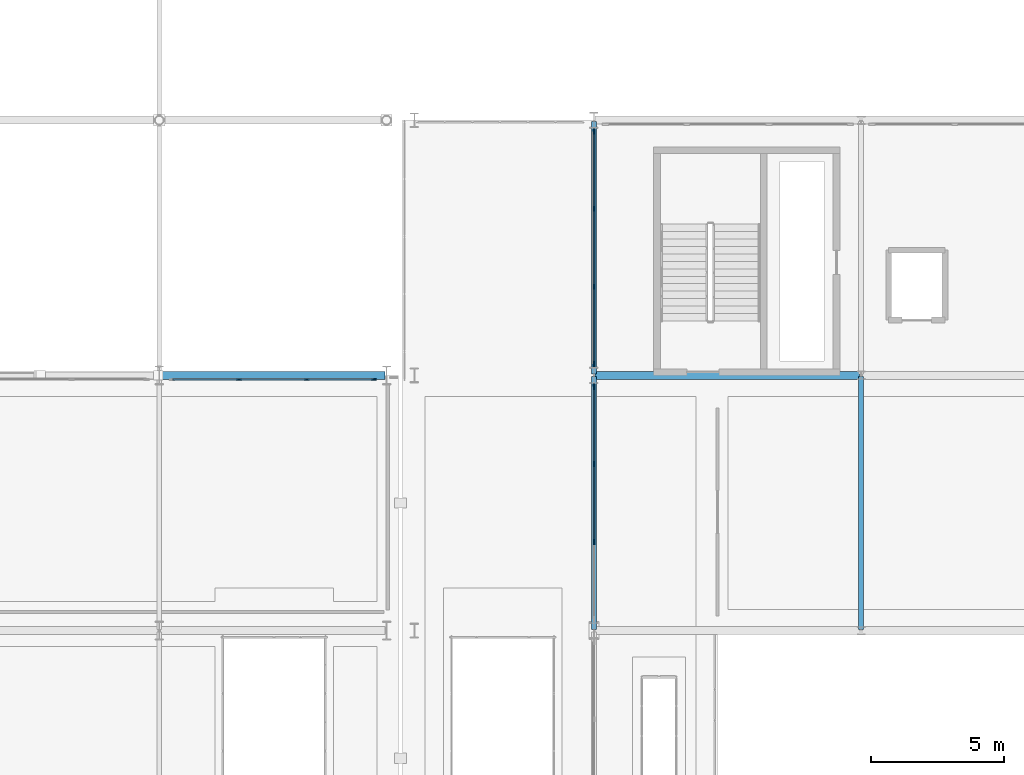
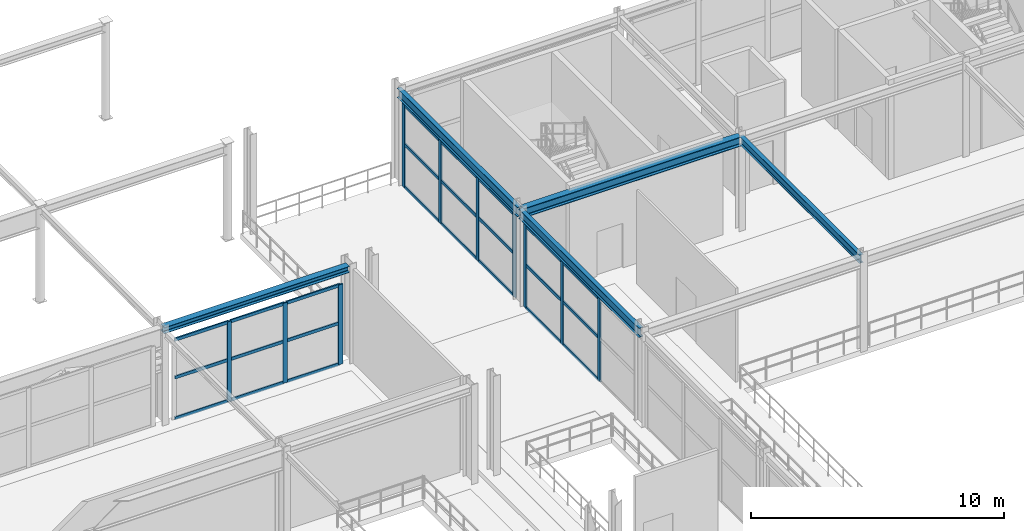
# One storey, part 48 of 125: 34 members, 5 beams, 3 elements without a shape of their own.
"""IFC4 building model written with IfcOpenShell, lengths in metres."""

from ifc_helpers import new_model, si_unit, direction, frame, origin, origin_2d, place, context, subcontext, project, spatial, rectangle, i_section, extrude, material, layer, layer_set, material_profile, profile_set, type_object, element, aggregate, save


model = new_model("IFC4")

# Units and contexts
model_context = context("Model", 3, precision=1e-05, world=origin(), true_north=direction((0.0, 1.0)))
body_context = subcontext(model_context, "Body", "Model", "MODEL_VIEW")
ifc_project = project(units=[si_unit("LENGTHUNIT", "METRE"), si_unit("AREAUNIT", "SQUARE_METRE"), si_unit("VOLUMEUNIT", "CUBIC_METRE"), si_unit("PLANEANGLEUNIT", "RADIAN"), si_unit("MASSUNIT", "GRAM", prefix="KILO")], contexts=[model_context])

# Site, building, storey
site_placement = place(None, origin())
site = spatial("IfcSite", under=ifc_project, at=site_placement, CompositionType="ELEMENT")
building_placement = place(site_placement, origin())
building = spatial("IfcBuilding", under=site, at=building_placement, Name="Myrtia Square Station", CompositionType="ELEMENT")
storey_placement = place(building_placement, frame((0.0, 0.0, 6.0)))
storey = spatial("IfcBuildingStorey", under=building, at=storey_placement, Name="L01", CompositionType="ELEMENT", Elevation=6.0)

# Beams
ifc_material_1 = material(Name="Steel S355", Category="steel")
ifc_material_profile_1 = material_profile(ifc_material_1, i_section(OverallWidth=0.300048828125, OverallDepth=0.300048828125, WebThickness=0.010986328125, FlangeThickness=0.01904296875, FilletRadius=0.027099609375, at=origin_2d()), Name="HEB 300")
ifc_profile_set_1 = profile_set([ifc_material_profile_1], Name="Steel S355")
beam_type_1 = type_object("IfcBeamType", Name="BM-HEB300", PredefinedType="BEAM", material=ifc_profile_set_1)
beam_1_placement = place(storey_placement, frame((63.050048828125, 86.39990234375, 4.405029296875), z_axis=(1.0, 0.0, 0.0), x_axis=(0.0, 1.0, 0.0)))
element("IfcBeam", 1, at=beam_1_placement, inside=storey, type_object=beam_type_1, Name="Structural girder BMX-L01-0477", PredefinedType="BEAM", context=body_context, shape_type="SweptSolid", body=[
    extrude(i_section(OverallWidth=0.300048828125, OverallDepth=0.300048828125, WebThickness=0.010986328125, FlangeThickness=0.01904296875, FilletRadius=0.027099609375, at=origin_2d()), origin(), (0.0, 0.0, 1.0), 8.449951171875),
])
ifc_material_profile_2 = material_profile(ifc_material_1, i_section(OverallWidth=0.300048828125, OverallDepth=0.449951171875, WebThickness=0.013916015625, FlangeThickness=0.02587890625, FilletRadius=0.027099609375, at=origin_2d()), Name="HEB 450")
ifc_profile_set_2 = profile_set([ifc_material_profile_2], Name="Steel S355")
beam_type_2 = type_object("IfcBeamType", Name="BM-HEB450", PredefinedType="BEAM", material=ifc_profile_set_2)
beam_2_placement = place(storey_placement, frame((79.39990234375, 86.39990234375, 4.324951171875), z_axis=(1.0, 0.0, 0.0), x_axis=(0.0, 1.0, 0.0)))
element("IfcBeam", 2, at=beam_2_placement, inside=storey, type_object=beam_type_2, Name="Structural girder BMX-L01-0546", PredefinedType="BEAM", context=body_context, shape_type="SweptSolid", body=[
    extrude(i_section(OverallWidth=0.300048828125, OverallDepth=0.449951171875, WebThickness=0.013916015625, FlangeThickness=0.02587890625, FilletRadius=0.027099609375, at=origin_2d()), origin(), (0.0, 0.0, 1.0), 9.9501953125),
])
ifc_material_profile_3 = material_profile(ifc_material_1, i_section(OverallWidth=0.179931640625, OverallDepth=0.39990234375, WebThickness=0.008544921875, FlangeThickness=0.013427734375, FilletRadius=0.02099609375, at=origin_2d()), Name="IPE 400")
ifc_profile_set_3 = profile_set([ifc_material_profile_3], Name="Steel S355")
beam_type_3 = type_object("IfcBeamType", Name="BM-IPE400", PredefinedType="BEAM", material=ifc_profile_set_3)
beam_3_placement = place(storey_placement, frame((89.39990234375, 76.85009765625, 4.35009765625), z_axis=(0.0, 1.0, 0.0), x_axis=(-1.0, 0.0, 0.0)))
element("IfcBeam", 3, at=beam_3_placement, inside=storey, type_object=beam_type_3, Name="Structural girder BMY-L01-0561", PredefinedType="BEAM", context=body_context, shape_type="SweptSolid", body=[
    extrude(i_section(OverallWidth=0.179931640625, OverallDepth=0.39990234375, WebThickness=0.008544921875, FlangeThickness=0.013427734375, FilletRadius=0.02099609375, at=origin_2d()), origin(), (0.0, 0.0, 1.0), 9.5),
])
ifc_material_profile_4 = material_profile(ifc_material_1, i_section(OverallWidth=0.18994140625, OverallDepth=0.449951171875, WebThickness=0.009521484375, FlangeThickness=0.0146484375, FilletRadius=0.02099609375, at=origin_2d()), Name="IPE 450")
ifc_profile_set_4 = profile_set([ifc_material_profile_4], Name="Steel S355")
beam_type_4 = type_object("IfcBeamType", Name="BM-IPE450", PredefinedType="BEAM", material=ifc_profile_set_4)
for number, where, z_axis, x_axis, name in (
    (4, (79.35009765625, 76.85009765625, 4.324951171875), (0.0, 1.0, 0.0), (-1.0, 0.0, 0.0), "Structural girder BMY-L01-0557"),
    (5, (79.35009765625, 86.449951171875, 4.324951171875), (0.0, 1.0, 0.0), (-1.0, 0.0, 0.0), "Structural girder BMY-L01-0558"),
):
    element("IfcBeam", number, at=place(storey_placement, frame(where, z_axis=z_axis, x_axis=x_axis)), inside=storey, type_object=beam_type_4, Name=name, PredefinedType="BEAM", context=body_context, shape_type="SweptSolid", body=[
        extrude(i_section(OverallWidth=0.18994140625, OverallDepth=0.449951171875, WebThickness=0.009521484375, FlangeThickness=0.0146484375, FilletRadius=0.02099609375, at=origin_2d()), origin(), (0.0, 0.0, 1.0), 9.5),
    ])

# Curtain wall, members
ifc_material_2 = material(Name="Dark bronze anodised aluminium", Category="aluminium")
ifc_layer_1 = layer(ifc_material_2, 0.159912109375, Name="Dark bronze anodised aluminium")
ifc_layer_set_1 = layer_set([ifc_layer_1], Name="Dark bronze anodised aluminium")
curtain_wall_type_1 = type_object("IfcCurtainWallType", Name="CW-TYPE-03-880x400", PredefinedType="USERDEFINED", material=ifc_layer_set_1)
curtain_wall_1_placement = place(storey_placement, origin())
curtain_wall_1 = element("IfcCurtainWall", 6, at=curtain_wall_1_placement, inside=storey, type_object=curtain_wall_type_1, Name="Concourse curtain wall CW-L01-015", ObjectType="CONCOURSE CURTAIN WALL", PredefinedType="USERDEFINED")
ifc_material_profile_5 = material_profile(ifc_material_2, rectangle(XDim=0.06494140625, YDim=0.199951171875, at=origin_2d()), Name="ALU-M 65x200")
ifc_profile_set_5 = profile_set([ifc_material_profile_5], Name="Dark bronze anodised aluminium")
member_type_1 = type_object("IfcMemberType", Name="CWM-65x200", PredefinedType="MULLION", material=ifc_profile_set_5)
member_1_placement = place(storey_placement, frame((79.35009765625, 80.13330078125, 0.0), z_axis=(0.0, 0.0, 1.0), x_axis=(-1.0, 0.0, 0.0)))
member_1 = element("IfcMember", 7, at=member_1_placement, type_object=member_type_1, Name="CW-015 mullion 2", PredefinedType="MULLION", context=body_context, shape_type="SweptSolid", body=[
    extrude(rectangle(XDim=0.06494140625, YDim=0.199951171875, at=origin_2d()), origin(), (0.0, 0.0, 1.0), 4.0),
])
member_2_placement = place(storey_placement, frame((79.35009765625, 83.066650390625, 0.0), z_axis=(0.0, 0.0, 1.0), x_axis=(-1.0, 0.0, 0.0)))
member_2 = element("IfcMember", 8, at=member_2_placement, type_object=member_type_1, Name="CW-015 mullion 3", PredefinedType="MULLION", context=body_context, shape_type="SweptSolid", body=[
    extrude(rectangle(XDim=0.06494140625, YDim=0.199951171875, at=origin_2d()), origin(), (0.0, 0.0, 1.0), 4.0),
])
member_3_placement = place(storey_placement, frame((79.35009765625, 85.967529296875, 0.0), z_axis=(0.0, 0.0, 1.0), x_axis=(-1.0, 0.0, 0.0)))
member_3 = element("IfcMember", 9, at=member_3_placement, type_object=member_type_1, Name="CW-015 mullion 4", PredefinedType="MULLION", context=body_context, shape_type="SweptSolid", body=[
    extrude(rectangle(XDim=0.06494140625, YDim=0.199951171875, at=origin_2d()), origin(), (0.0, 0.0, 1.0), 4.0),
])

curtain_wall_2_placement = place(storey_placement, origin())
curtain_wall_2 = element("IfcCurtainWall", 10, at=curtain_wall_2_placement, inside=storey, type_object=curtain_wall_type_1, Name="Concourse curtain wall CW-L01-017", ObjectType="CONCOURSE CURTAIN WALL", PredefinedType="USERDEFINED")
member_4_placement = place(storey_placement, frame((79.35009765625, 86.83251953125, 0.0), z_axis=(0.0, 0.0, 1.0), x_axis=(-1.0, 0.0, 0.0)))
member_4 = element("IfcMember", 11, at=member_4_placement, type_object=member_type_1, Name="CW-017 mullion 1", PredefinedType="MULLION", context=body_context, shape_type="SweptSolid", body=[
    extrude(rectangle(XDim=0.06494140625, YDim=0.199951171875, at=origin_2d()), origin(), (0.0, 0.0, 1.0), 4.0),
])
member_5_placement = place(storey_placement, frame((79.35009765625, 89.7333984375, 0.0), z_axis=(0.0, 0.0, 1.0), x_axis=(-1.0, 0.0, 0.0)))
member_5 = element("IfcMember", 12, at=member_5_placement, type_object=member_type_1, Name="CW-017 mullion 2", PredefinedType="MULLION", context=body_context, shape_type="SweptSolid", body=[
    extrude(rectangle(XDim=0.06494140625, YDim=0.199951171875, at=origin_2d()), origin(), (0.0, 0.0, 1.0), 4.0),
])
member_6_placement = place(storey_placement, frame((79.35009765625, 92.666748046875, 0.0), z_axis=(0.0, 0.0, 1.0), x_axis=(-1.0, 0.0, 0.0)))
member_6 = element("IfcMember", 13, at=member_6_placement, type_object=member_type_1, Name="CW-017 mullion 3", PredefinedType="MULLION", context=body_context, shape_type="SweptSolid", body=[
    extrude(rectangle(XDim=0.06494140625, YDim=0.199951171875, at=origin_2d()), origin(), (0.0, 0.0, 1.0), 4.0),
])
member_7_placement = place(storey_placement, frame((79.35009765625, 95.5673828125, 0.0), z_axis=(0.0, 0.0, 1.0), x_axis=(-1.0, 0.0, 0.0)))
member_7 = element("IfcMember", 14, at=member_7_placement, type_object=member_type_1, Name="CW-017 mullion 4", PredefinedType="MULLION", context=body_context, shape_type="SweptSolid", body=[
    extrude(rectangle(XDim=0.06494140625, YDim=0.199951171875, at=origin_2d()), origin(), (0.0, 0.0, 1.0), 4.0),
])

ifc_layer_2 = layer(ifc_material_2, 0.159912109375, Name="Dark bronze anodised aluminium")
ifc_layer_set_2 = layer_set([ifc_layer_2], Name="Dark bronze anodised aluminium")
curtain_wall_type_2 = type_object("IfcCurtainWallType", Name="CW-TYPE-21-765x385", PredefinedType="USERDEFINED", material=ifc_layer_set_2)
curtain_wall_3_placement = place(storey_placement, origin())
curtain_wall_3 = element("IfcCurtainWall", 15, at=curtain_wall_3_placement, inside=storey, type_object=curtain_wall_type_2, Name="Concourse curtain wall CW-L01-072", ObjectType="CONCOURSE CURTAIN WALL", PredefinedType="USERDEFINED")
member_8_placement = place(storey_placement, frame((66.0, 86.25, 0.0), z_axis=(0.0, 0.0, 1.0), x_axis=(0.0, 1.0, 0.0)))
member_8 = element("IfcMember", 16, at=member_8_placement, type_object=member_type_1, Name="CW-072 mullion 2", PredefinedType="MULLION", context=body_context, shape_type="SweptSolid", body=[
    extrude(rectangle(XDim=0.06494140625, YDim=0.199951171875, at=origin_2d()), origin(), (0.0, 0.0, 1.0), 3.85009765625),
])
member_9_placement = place(storey_placement, frame((68.550048828125, 86.25, 0.0), z_axis=(0.0, 0.0, 1.0), x_axis=(0.0, 1.0, 0.0)))
member_9 = element("IfcMember", 17, at=member_9_placement, type_object=member_type_1, Name="CW-072 mullion 3", PredefinedType="MULLION", context=body_context, shape_type="SweptSolid", body=[
    extrude(rectangle(XDim=0.06494140625, YDim=0.199951171875, at=origin_2d()), origin(), (0.0, 0.0, 1.0), 3.85009765625),
])
member_10_placement = place(storey_placement, frame((71.0673828125, 86.25, 0.0), z_axis=(0.0, 0.0, 1.0), x_axis=(0.0, 1.0, 0.0)))
member_10 = element("IfcMember", 18, at=member_10_placement, type_object=member_type_1, Name="CW-072 mullion 4", PredefinedType="MULLION", context=body_context, shape_type="SweptSolid", body=[
    extrude(rectangle(XDim=0.06494140625, YDim=0.199951171875, at=origin_2d()), origin(), (0.0, 0.0, 1.0), 3.85009765625),
])

# Member
ifc_material_profile_6 = material_profile(ifc_material_2, rectangle(XDim=0.06494140625, YDim=0.14990234375, at=origin_2d()), Name="ALU-T 65x150")
ifc_profile_set_6 = profile_set([ifc_material_profile_6], Name="Dark bronze anodised aluminium")
member_type_2 = type_object("IfcMemberType", Name="CWT-65x150", PredefinedType="USERDEFINED", material=ifc_profile_set_6)
member_11_placement = place(storey_placement, frame((79.35009765625, 80.165771484375, 0.032470703125), z_axis=(0.0, 1.0, 0.0), x_axis=(-1.0, 0.0, 0.0)))
member_11 = element("IfcMember", 19, at=member_11_placement, type_object=member_type_2, Name="CW-015 transom 2.1", ObjectType="TRANSOM", PredefinedType="USERDEFINED", context=body_context, shape_type="SweptSolid", body=[
    extrude(rectangle(XDim=0.06494140625, YDim=0.14990234375, at=origin_2d()), origin(), (0.0, 0.0, 1.0), 2.868408203125),
])

member_12_placement = place(storey_placement, frame((79.35009765625, 80.165771484375, 2.080078125), z_axis=(0.0, 1.0, 0.0), x_axis=(-1.0, 0.0, 0.0)))
member_12 = element("IfcMember", 20, at=member_12_placement, type_object=member_type_2, Name="CW-015 transom 2.2", ObjectType="TRANSOM", PredefinedType="USERDEFINED", context=body_context, shape_type="SweptSolid", body=[
    extrude(rectangle(XDim=0.06494140625, YDim=0.14990234375, at=origin_2d()), origin(), (0.0, 0.0, 1.0), 2.868408203125),
])

member_13_placement = place(storey_placement, frame((79.35009765625, 80.165771484375, 3.967529296875), z_axis=(0.0, 1.0, 0.0), x_axis=(-1.0, 0.0, 0.0)))
member_13 = element("IfcMember", 21, at=member_13_placement, type_object=member_type_2, Name="CW-015 transom 2.3", ObjectType="TRANSOM", PredefinedType="USERDEFINED", context=body_context, shape_type="SweptSolid", body=[
    extrude(rectangle(XDim=0.06494140625, YDim=0.14990234375, at=origin_2d()), origin(), (0.0, 0.0, 1.0), 2.868408203125),
])

member_14_placement = place(storey_placement, frame((79.35009765625, 83.09912109375, 0.032470703125), z_axis=(0.0, 1.0, 0.0), x_axis=(-1.0, 0.0, 0.0)))
member_14 = element("IfcMember", 22, at=member_14_placement, type_object=member_type_2, Name="CW-015 transom 3.1", ObjectType="TRANSOM", PredefinedType="USERDEFINED", context=body_context, shape_type="SweptSolid", body=[
    extrude(rectangle(XDim=0.06494140625, YDim=0.14990234375, at=origin_2d()), origin(), (0.0, 0.0, 1.0), 2.8359375),
])

member_15_placement = place(storey_placement, frame((79.35009765625, 83.09912109375, 2.080078125), z_axis=(0.0, 1.0, 0.0), x_axis=(-1.0, 0.0, 0.0)))
member_15 = element("IfcMember", 23, at=member_15_placement, type_object=member_type_2, Name="CW-015 transom 3.2", ObjectType="TRANSOM", PredefinedType="USERDEFINED", context=body_context, shape_type="SweptSolid", body=[
    extrude(rectangle(XDim=0.06494140625, YDim=0.14990234375, at=origin_2d()), origin(), (0.0, 0.0, 1.0), 2.8359375),
])

member_16_placement = place(storey_placement, frame((79.35009765625, 83.09912109375, 3.967529296875), z_axis=(0.0, 1.0, 0.0), x_axis=(-1.0, 0.0, 0.0)))
member_16 = element("IfcMember", 24, at=member_16_placement, type_object=member_type_2, Name="CW-015 transom 3.3", ObjectType="TRANSOM", PredefinedType="USERDEFINED", context=body_context, shape_type="SweptSolid", body=[
    extrude(rectangle(XDim=0.06494140625, YDim=0.14990234375, at=origin_2d()), origin(), (0.0, 0.0, 1.0), 2.8359375),
])

aggregate(curtain_wall_1, [member_1, member_2, member_3, member_11, member_12, member_13, member_14, member_15, member_16])

member_17_placement = place(storey_placement, frame((79.35009765625, 86.864990234375, 0.032470703125), z_axis=(0.0, 1.0, 0.0), x_axis=(-1.0, 0.0, 0.0)))
member_17 = element("IfcMember", 25, at=member_17_placement, type_object=member_type_2, Name="CW-017 transom 1.1", ObjectType="TRANSOM", PredefinedType="USERDEFINED", context=body_context, shape_type="SweptSolid", body=[
    extrude(rectangle(XDim=0.06494140625, YDim=0.14990234375, at=origin_2d()), origin(), (0.0, 0.0, 1.0), 2.8359375),
])

member_18_placement = place(storey_placement, frame((79.35009765625, 86.864990234375, 2.080078125), z_axis=(0.0, 1.0, 0.0), x_axis=(-1.0, 0.0, 0.0)))
member_18 = element("IfcMember", 26, at=member_18_placement, type_object=member_type_2, Name="CW-017 transom 1.2", ObjectType="TRANSOM", PredefinedType="USERDEFINED", context=body_context, shape_type="SweptSolid", body=[
    extrude(rectangle(XDim=0.06494140625, YDim=0.14990234375, at=origin_2d()), origin(), (0.0, 0.0, 1.0), 2.8359375),
])

member_19_placement = place(storey_placement, frame((79.35009765625, 86.864990234375, 3.967529296875), z_axis=(0.0, 1.0, 0.0), x_axis=(-1.0, 0.0, 0.0)))
member_19 = element("IfcMember", 27, at=member_19_placement, type_object=member_type_2, Name="CW-017 transom 1.3", ObjectType="TRANSOM", PredefinedType="USERDEFINED", context=body_context, shape_type="SweptSolid", body=[
    extrude(rectangle(XDim=0.06494140625, YDim=0.14990234375, at=origin_2d()), origin(), (0.0, 0.0, 1.0), 2.8359375),
])

member_20_placement = place(storey_placement, frame((79.35009765625, 89.765869140625, 0.032470703125), z_axis=(0.0, 1.0, 0.0), x_axis=(-1.0, 0.0, 0.0)))
member_20 = element("IfcMember", 28, at=member_20_placement, type_object=member_type_2, Name="CW-017 transom 2.1", ObjectType="TRANSOM", PredefinedType="USERDEFINED", context=body_context, shape_type="SweptSolid", body=[
    extrude(rectangle(XDim=0.06494140625, YDim=0.14990234375, at=origin_2d()), origin(), (0.0, 0.0, 1.0), 2.868408203125),
])

member_21_placement = place(storey_placement, frame((79.35009765625, 89.765869140625, 2.080078125), z_axis=(0.0, 1.0, 0.0), x_axis=(-1.0, 0.0, 0.0)))
member_21 = element("IfcMember", 29, at=member_21_placement, type_object=member_type_2, Name="CW-017 transom 2.2", ObjectType="TRANSOM", PredefinedType="USERDEFINED", context=body_context, shape_type="SweptSolid", body=[
    extrude(rectangle(XDim=0.06494140625, YDim=0.14990234375, at=origin_2d()), origin(), (0.0, 0.0, 1.0), 2.868408203125),
])

member_22_placement = place(storey_placement, frame((79.35009765625, 89.765869140625, 3.967529296875), z_axis=(0.0, 1.0, 0.0), x_axis=(-1.0, 0.0, 0.0)))
member_22 = element("IfcMember", 30, at=member_22_placement, type_object=member_type_2, Name="CW-017 transom 2.3", ObjectType="TRANSOM", PredefinedType="USERDEFINED", context=body_context, shape_type="SweptSolid", body=[
    extrude(rectangle(XDim=0.06494140625, YDim=0.14990234375, at=origin_2d()), origin(), (0.0, 0.0, 1.0), 2.868408203125),
])

member_23_placement = place(storey_placement, frame((79.35009765625, 92.69921875, 0.032470703125), z_axis=(0.0, 1.0, 0.0), x_axis=(-1.0, 0.0, 0.0)))
member_23 = element("IfcMember", 31, at=member_23_placement, type_object=member_type_2, Name="CW-017 transom 3.1", ObjectType="TRANSOM", PredefinedType="USERDEFINED", context=body_context, shape_type="SweptSolid", body=[
    extrude(rectangle(XDim=0.06494140625, YDim=0.14990234375, at=origin_2d()), origin(), (0.0, 0.0, 1.0), 2.835693359375),
])

member_24_placement = place(storey_placement, frame((79.35009765625, 92.69921875, 2.080078125), z_axis=(0.0, 1.0, 0.0), x_axis=(-1.0, 0.0, 0.0)))
member_24 = element("IfcMember", 32, at=member_24_placement, type_object=member_type_2, Name="CW-017 transom 3.2", ObjectType="TRANSOM", PredefinedType="USERDEFINED", context=body_context, shape_type="SweptSolid", body=[
    extrude(rectangle(XDim=0.06494140625, YDim=0.14990234375, at=origin_2d()), origin(), (0.0, 0.0, 1.0), 2.835693359375),
])

member_25_placement = place(storey_placement, frame((79.35009765625, 92.69921875, 3.967529296875), z_axis=(0.0, 1.0, 0.0), x_axis=(-1.0, 0.0, 0.0)))
member_25 = element("IfcMember", 33, at=member_25_placement, type_object=member_type_2, Name="CW-017 transom 3.3", ObjectType="TRANSOM", PredefinedType="USERDEFINED", context=body_context, shape_type="SweptSolid", body=[
    extrude(rectangle(XDim=0.06494140625, YDim=0.14990234375, at=origin_2d()), origin(), (0.0, 0.0, 1.0), 2.835693359375),
])

aggregate(curtain_wall_2, [member_4, member_5, member_6, member_7, member_17, member_18, member_19, member_20, member_21, member_22, member_23, member_24, member_25])

member_26_placement = place(storey_placement, frame((63.514892578125, 86.25, 0.032470703125), z_axis=(1.0, 0.0, 0.0), x_axis=(0.0, 1.0, 0.0)))
member_26 = element("IfcMember", 34, at=member_26_placement, type_object=member_type_2, Name="CW-072 transom 1.1", ObjectType="TRANSOM", PredefinedType="USERDEFINED", context=body_context, shape_type="SweptSolid", body=[
    extrude(rectangle(XDim=0.06494140625, YDim=0.14990234375, at=origin_2d()), origin(), (0.0, 0.0, 1.0), 2.45263671875),
])

member_27_placement = place(storey_placement, frame((63.514892578125, 86.25, 2.001953125), z_axis=(1.0, 0.0, 0.0), x_axis=(0.0, 1.0, 0.0)))
member_27 = element("IfcMember", 35, at=member_27_placement, type_object=member_type_2, Name="CW-072 transom 1.2", ObjectType="TRANSOM", PredefinedType="USERDEFINED", context=body_context, shape_type="SweptSolid", body=[
    extrude(rectangle(XDim=0.06494140625, YDim=0.14990234375, at=origin_2d()), origin(), (0.0, 0.0, 1.0), 2.45263671875),
])

member_28_placement = place(storey_placement, frame((63.514892578125, 86.25, 3.8173828125), z_axis=(1.0, 0.0, 0.0), x_axis=(0.0, 1.0, 0.0)))
member_28 = element("IfcMember", 36, at=member_28_placement, type_object=member_type_2, Name="CW-072 transom 1.3", ObjectType="TRANSOM", PredefinedType="USERDEFINED", context=body_context, shape_type="SweptSolid", body=[
    extrude(rectangle(XDim=0.06494140625, YDim=0.14990234375, at=origin_2d()), origin(), (0.0, 0.0, 1.0), 2.45263671875),
])

member_29_placement = place(storey_placement, frame((66.032470703125, 86.25, 0.032470703125), z_axis=(1.0, 0.0, 0.0), x_axis=(0.0, 1.0, 0.0)))
member_29 = element("IfcMember", 37, at=member_29_placement, type_object=member_type_2, Name="CW-072 transom 2.1", ObjectType="TRANSOM", PredefinedType="USERDEFINED", context=body_context, shape_type="SweptSolid", body=[
    extrude(rectangle(XDim=0.06494140625, YDim=0.14990234375, at=origin_2d()), origin(), (0.0, 0.0, 1.0), 2.485107421875),
])

member_30_placement = place(storey_placement, frame((66.032470703125, 86.25, 2.001953125), z_axis=(1.0, 0.0, 0.0), x_axis=(0.0, 1.0, 0.0)))
member_30 = element("IfcMember", 38, at=member_30_placement, type_object=member_type_2, Name="CW-072 transom 2.2", ObjectType="TRANSOM", PredefinedType="USERDEFINED", context=body_context, shape_type="SweptSolid", body=[
    extrude(rectangle(XDim=0.06494140625, YDim=0.14990234375, at=origin_2d()), origin(), (0.0, 0.0, 1.0), 2.485107421875),
])

member_31_placement = place(storey_placement, frame((66.032470703125, 86.25, 3.8173828125), z_axis=(1.0, 0.0, 0.0), x_axis=(0.0, 1.0, 0.0)))
member_31 = element("IfcMember", 39, at=member_31_placement, type_object=member_type_2, Name="CW-072 transom 2.3", ObjectType="TRANSOM", PredefinedType="USERDEFINED", context=body_context, shape_type="SweptSolid", body=[
    extrude(rectangle(XDim=0.06494140625, YDim=0.14990234375, at=origin_2d()), origin(), (0.0, 0.0, 1.0), 2.485107421875),
])

member_32_placement = place(storey_placement, frame((68.58251953125, 86.25, 0.032470703125), z_axis=(1.0, 0.0, 0.0), x_axis=(0.0, 1.0, 0.0)))
member_32 = element("IfcMember", 40, at=member_32_placement, type_object=member_type_2, Name="CW-072 transom 3.1", ObjectType="TRANSOM", PredefinedType="USERDEFINED", context=body_context, shape_type="SweptSolid", body=[
    extrude(rectangle(XDim=0.06494140625, YDim=0.14990234375, at=origin_2d()), origin(), (0.0, 0.0, 1.0), 2.452392578125),
])

member_33_placement = place(storey_placement, frame((68.58251953125, 86.25, 2.001953125), z_axis=(1.0, 0.0, 0.0), x_axis=(0.0, 1.0, 0.0)))
member_33 = element("IfcMember", 41, at=member_33_placement, type_object=member_type_2, Name="CW-072 transom 3.2", ObjectType="TRANSOM", PredefinedType="USERDEFINED", context=body_context, shape_type="SweptSolid", body=[
    extrude(rectangle(XDim=0.06494140625, YDim=0.14990234375, at=origin_2d()), origin(), (0.0, 0.0, 1.0), 2.452392578125),
])

member_34_placement = place(storey_placement, frame((68.58251953125, 86.25, 3.8173828125), z_axis=(1.0, 0.0, 0.0), x_axis=(0.0, 1.0, 0.0)))
member_34 = element("IfcMember", 42, at=member_34_placement, type_object=member_type_2, Name="CW-072 transom 3.3", ObjectType="TRANSOM", PredefinedType="USERDEFINED", context=body_context, shape_type="SweptSolid", body=[
    extrude(rectangle(XDim=0.06494140625, YDim=0.14990234375, at=origin_2d()), origin(), (0.0, 0.0, 1.0), 2.452392578125),
])

aggregate(curtain_wall_3, [member_8, member_9, member_10, member_26, member_27, member_28, member_29, member_30, member_31, member_32, member_33, member_34])

save(model, "model.ifc")
